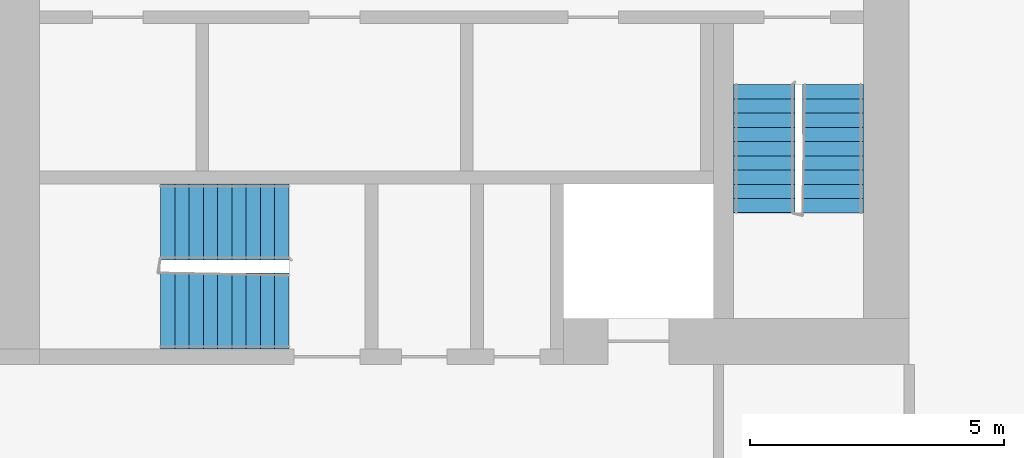
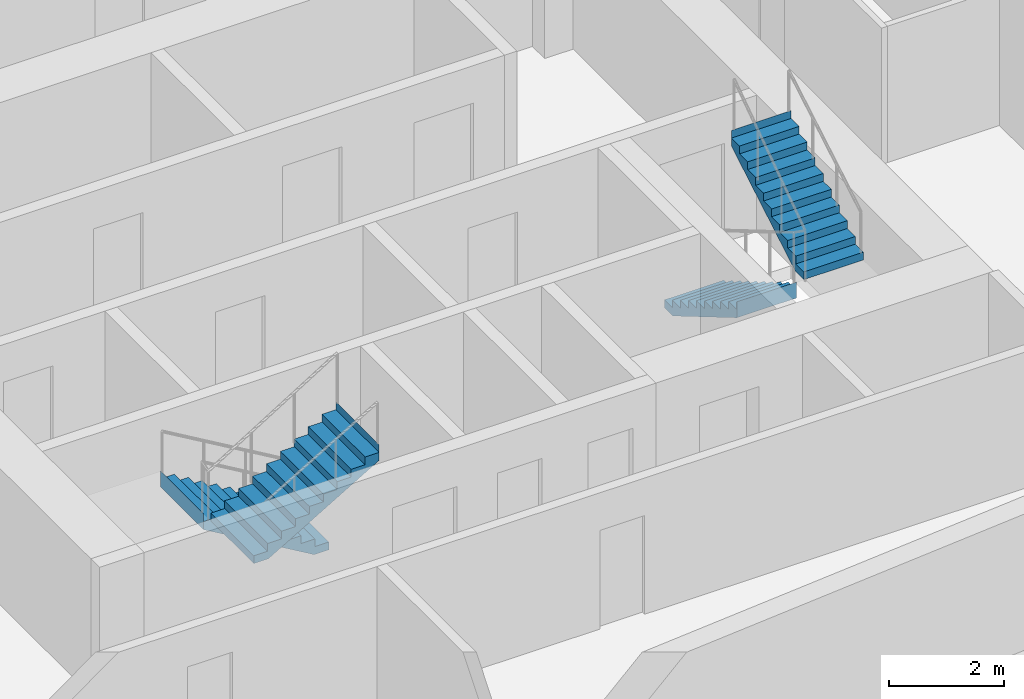
# One storey, part 9 of 11: 4 stair flights, 2 elements without a shape of their own.
"""IFC4 building model written with IfcOpenShell, lengths in metres."""

from ifc_helpers import new_model, si_unit, direction, frame, origin, place, context, subcontext, project, spatial, faceted_brep, material, type_object, element, aggregate, save


model = new_model("IFC4")

# Units and contexts
model_context = context("Model", 3, precision=1e-05, world=origin(), true_north=direction((0.0, 1.0)))
body_context = subcontext(model_context, "Body", "Model", "MODEL_VIEW")
ifc_project = project(units=[si_unit("LENGTHUNIT", "METRE"), si_unit("AREAUNIT", "SQUARE_METRE"), si_unit("VOLUMEUNIT", "CUBIC_METRE"), si_unit("PLANEANGLEUNIT", "RADIAN"), si_unit("MASSUNIT", "GRAM", prefix="KILO")], contexts=[model_context])

# Site, building, storey
site_placement = place(None, origin())
site = spatial("IfcSite", under=ifc_project, at=site_placement, CompositionType="ELEMENT")
building_placement = place(site_placement, origin())
building = spatial("IfcBuilding", under=site, at=building_placement, Name="Kajstack Hotel Tower", CompositionType="ELEMENT")
storey_placement = place(building_placement, frame((0.0, 0.0, 304.800048828125)))
storey = spatial("IfcBuildingStorey", under=building, at=storey_placement, Name="L77", CompositionType="ELEMENT", Elevation=304.800048828125)

# Stair, stair flights
ifc_material = material(Name="Concrete C40/50", Category="concrete")
stair_type_1 = type_object("IfcStairType", Name="Exit stair 1200", PredefinedType="HALF_TURN_STAIR", material=ifc_material)
stair_1_placement = place(storey_placement, origin())
stair_1 = element("IfcStair", 1, at=stair_1_placement, inside=storey, type_object=stair_type_1, Name="L77 stair W2", PredefinedType="HALF_TURN_STAIR")
stair_flight_type_1 = type_object("IfcStairFlightType", Name="Exit stair flight 1200", PredefinedType="STRAIGHT", material=ifc_material)
stair_flight_1_placement = place(storey_placement, frame((-16.35009765625, -10.0, 0.0), z_axis=(0.0, 0.0, 1.0), x_axis=(0.0, -1.0, 0.0)))
stair_flight_1 = element("IfcStairFlight", 2, at=stair_flight_1_placement, type_object=stair_flight_type_1, Name="W2 flight 1", NumberOfRisers=10, NumberOfTreads=9, PredefinedType="STRAIGHT", RiserHeight=0.165, TreadLength=0.28, context=body_context, shape_type="Brep", body=[
    faceted_brep([(0.295654296875, -0.60009765625, 0.0), (2.5205078125, -0.60009765625, 1.31103515625), (2.5205078125, -0.60009765625, 1.64990234375), (2.52001953125, -0.60009765625, 1.64990234375), (2.52001953125, -0.60009765625, 1.485107421875), (2.239990234375, -0.60009765625, 1.485107421875), (2.239990234375, -0.60009765625, 1.320068359375), (1.9599609375, -0.60009765625, 1.320068359375), (1.9599609375, -0.60009765625, 1.155029296875), (1.679931640625, -0.60009765625, 1.155029296875), (1.679931640625, -0.60009765625, 0.989990234375), (1.39990234375, -0.60009765625, 0.989990234375), (1.39990234375, -0.60009765625, 0.824951171875), (1.1201171875, -0.60009765625, 0.824951171875), (1.1201171875, -0.60009765625, 0.659912109375), (0.840087890625, -0.60009765625, 0.659912109375), (0.840087890625, -0.60009765625, 0.4951171875), (0.56005859375, -0.60009765625, 0.4951171875), (0.56005859375, -0.60009765625, 0.330078125), (0.280029296875, -0.60009765625, 0.330078125), (0.280029296875, -0.60009765625, 0.1650390625), (-0.00048828125, -0.60009765625, 0.1650390625), (-0.00048828125, -0.60009765625, 0.0), (-0.00048828125, 0.60009765625, 0.0), (-0.00048828125, 0.60009765625, 0.1650390625), (0.280029296875, 0.60009765625, 0.1650390625), (0.280029296875, 0.60009765625, 0.330078125), (0.56005859375, 0.60009765625, 0.330078125), (0.56005859375, 0.60009765625, 0.4951171875), (0.840087890625, 0.60009765625, 0.4951171875), (0.840087890625, 0.60009765625, 0.659912109375), (1.1201171875, 0.60009765625, 0.659912109375), (1.1201171875, 0.60009765625, 0.824951171875), (1.39990234375, 0.60009765625, 0.824951171875), (1.39990234375, 0.60009765625, 0.989990234375), (1.679931640625, 0.60009765625, 0.989990234375), (1.679931640625, 0.60009765625, 1.155029296875), (1.9599609375, 0.60009765625, 1.155029296875), (1.9599609375, 0.60009765625, 1.320068359375), (2.239990234375, 0.60009765625, 1.320068359375), (2.239990234375, 0.60009765625, 1.485107421875), (2.52001953125, 0.60009765625, 1.485107421875), (2.52001953125, 0.60009765625, 1.64990234375), (2.5205078125, 0.60009765625, 1.64990234375), (2.5205078125, 0.60009765625, 1.31103515625), (0.295654296875, 0.60009765625, 0.0), (-0.00048828125, -0.300048828125, 0.1650390625), (-0.00048828125, 0.0, 0.1650390625), (-0.00048828125, 0.300048828125, 0.1650390625), (-0.00048828125, 0.300048828125, 0.0), (-0.00048828125, 0.0, 0.0), (-0.00048828125, -0.300048828125, 0.0), (0.280029296875, -0.300048828125, 0.1650390625), (0.280029296875, 0.0, 0.1650390625), (0.280029296875, 0.300048828125, 0.1650390625), (0.280029296875, -0.300048828125, 0.330078125), (0.280029296875, 0.0, 0.330078125), (0.280029296875, 0.300048828125, 0.330078125), (0.56005859375, -0.300048828125, 0.330078125), (0.56005859375, 0.0, 0.330078125), (0.56005859375, 0.300048828125, 0.330078125), (0.56005859375, -0.300048828125, 0.4951171875), (0.56005859375, 0.0, 0.4951171875), (0.56005859375, 0.300048828125, 0.4951171875), (0.840087890625, -0.300048828125, 0.4951171875), (0.840087890625, 0.0, 0.4951171875), (0.840087890625, 0.300048828125, 0.4951171875), (0.840087890625, -0.300048828125, 0.659912109375), (0.840087890625, 0.0, 0.659912109375), (0.840087890625, 0.300048828125, 0.659912109375), (1.1201171875, -0.300048828125, 0.659912109375), (1.1201171875, 0.0, 0.659912109375), (1.1201171875, 0.300048828125, 0.659912109375), (1.1201171875, -0.300048828125, 0.824951171875), (1.1201171875, 0.0, 0.824951171875), (1.1201171875, 0.300048828125, 0.824951171875), (1.39990234375, -0.300048828125, 0.824951171875), (1.39990234375, 0.0, 0.824951171875), (1.39990234375, 0.300048828125, 0.824951171875), (1.39990234375, -0.300048828125, 0.989990234375), (1.39990234375, 0.0, 0.989990234375), (1.39990234375, 0.300048828125, 0.989990234375), (1.679931640625, -0.300048828125, 0.989990234375), (1.679931640625, 0.0, 0.989990234375), (1.679931640625, 0.300048828125, 0.989990234375), (1.679931640625, -0.300048828125, 1.155029296875), (1.679931640625, 0.0, 1.155029296875), (1.679931640625, 0.300048828125, 1.155029296875), (1.9599609375, -0.300048828125, 1.155029296875), (1.9599609375, 0.0, 1.155029296875), (1.9599609375, 0.300048828125, 1.155029296875), (1.9599609375, -0.300048828125, 1.320068359375), (1.9599609375, 0.0, 1.320068359375), (1.9599609375, 0.300048828125, 1.320068359375), (2.239990234375, -0.300048828125, 1.320068359375), (2.239990234375, 0.0, 1.320068359375), (2.239990234375, 0.300048828125, 1.320068359375), (2.239990234375, -0.300048828125, 1.485107421875), (2.239990234375, 0.0, 1.485107421875), (2.239990234375, 0.300048828125, 1.485107421875), (2.52001953125, -0.300048828125, 1.485107421875), (2.52001953125, 0.0, 1.485107421875), (2.52001953125, 0.300048828125, 1.485107421875), (2.52001953125, -0.300048828125, 1.64990234375), (2.52001953125, 0.0, 1.64990234375), (2.52001953125, 0.300048828125, 1.64990234375), (2.5205078125, -0.300048828125, 1.64990234375), (2.5205078125, 0.0, 1.64990234375), (2.5205078125, 0.300048828125, 1.64990234375), (2.5205078125, -0.300048828125, 1.31103515625), (2.5205078125, 0.0, 1.31103515625), (2.5205078125, 0.300048828125, 1.31103515625), (0.295654296875, -0.300048828125, 0.0), (0.295654296875, 0.0, 0.0), (0.295654296875, 0.300048828125, 0.0)], [[[0, 1, 2, 3, 4, 5, 6, 7, 8, 9, 10, 11, 12, 13, 14, 15, 16, 17, 18, 19, 20, 21, 22]], [[23, 24, 25, 26, 27, 28, 29, 30, 31, 32, 33, 34, 35, 36, 37, 38, 39, 40, 41, 42, 43, 44, 45]], [[21, 46, 47, 48, 24, 23, 49, 50, 51, 22]], [[20, 52, 53, 54, 25, 24, 48, 47, 46, 21]], [[19, 55, 56, 57, 26, 25, 54, 53, 52, 20]], [[18, 58, 59, 60, 27, 26, 57, 56, 55, 19]], [[17, 61, 62, 63, 28, 27, 60, 59, 58, 18]], [[16, 64, 65, 66, 29, 28, 63, 62, 61, 17]], [[15, 67, 68, 69, 30, 29, 66, 65, 64, 16]], [[14, 70, 71, 72, 31, 30, 69, 68, 67, 15]], [[13, 73, 74, 75, 32, 31, 72, 71, 70, 14]], [[12, 76, 77, 78, 33, 32, 75, 74, 73, 13]], [[11, 79, 80, 81, 34, 33, 78, 77, 76, 12]], [[10, 82, 83, 84, 35, 34, 81, 80, 79, 11]], [[9, 85, 86, 87, 36, 35, 84, 83, 82, 10]], [[8, 88, 89, 90, 37, 36, 87, 86, 85, 9]], [[7, 91, 92, 93, 38, 37, 90, 89, 88, 8]], [[6, 94, 95, 96, 39, 38, 93, 92, 91, 7]], [[5, 97, 98, 99, 40, 39, 96, 95, 94, 6]], [[4, 100, 101, 102, 41, 40, 99, 98, 97, 5]], [[3, 103, 104, 105, 42, 41, 102, 101, 100, 4]], [[2, 106, 107, 108, 43, 42, 105, 104, 103, 3]], [[1, 109, 110, 111, 44, 43, 108, 107, 106, 2]], [[0, 112, 113, 114, 45, 44, 111, 110, 109, 1]], [[22, 51, 50, 49, 23, 45, 114, 113, 112, 0]]]),
])
stair_flight_2_placement = place(storey_placement, frame((-15.0, -12.52001953125, 1.64990234375), z_axis=(0.0, 0.0, 1.0), x_axis=(0.0, 1.0, 0.0)))
stair_flight_2 = element("IfcStairFlight", 3, at=stair_flight_2_placement, type_object=stair_flight_type_1, Name="W2 flight 2", NumberOfRisers=10, NumberOfTreads=9, PredefinedType="STRAIGHT", RiserHeight=0.165, TreadLength=0.28, context=body_context, shape_type="Brep", body=[
    faceted_brep([(0.295654296875, -0.60009765625, 0.0), (2.5205078125, -0.60009765625, 1.31103515625), (2.5205078125, -0.60009765625, 1.64990234375), (2.52001953125, -0.60009765625, 1.64990234375), (2.52001953125, -0.60009765625, 1.485107421875), (2.239990234375, -0.60009765625, 1.485107421875), (2.239990234375, -0.60009765625, 1.320068359375), (1.9599609375, -0.60009765625, 1.320068359375), (1.9599609375, -0.60009765625, 1.155029296875), (1.679931640625, -0.60009765625, 1.155029296875), (1.679931640625, -0.60009765625, 0.989990234375), (1.39990234375, -0.60009765625, 0.989990234375), (1.39990234375, -0.60009765625, 0.824951171875), (1.1201171875, -0.60009765625, 0.824951171875), (1.1201171875, -0.60009765625, 0.659912109375), (0.840087890625, -0.60009765625, 0.659912109375), (0.840087890625, -0.60009765625, 0.4951171875), (0.56005859375, -0.60009765625, 0.4951171875), (0.56005859375, -0.60009765625, 0.330078125), (0.280029296875, -0.60009765625, 0.330078125), (0.280029296875, -0.60009765625, 0.1650390625), (-0.00048828125, -0.60009765625, 0.1650390625), (-0.00048828125, -0.60009765625, 0.0), (-0.00048828125, 0.60009765625, 0.0), (-0.00048828125, 0.60009765625, 0.1650390625), (0.280029296875, 0.60009765625, 0.1650390625), (0.280029296875, 0.60009765625, 0.330078125), (0.56005859375, 0.60009765625, 0.330078125), (0.56005859375, 0.60009765625, 0.4951171875), (0.840087890625, 0.60009765625, 0.4951171875), (0.840087890625, 0.60009765625, 0.659912109375), (1.1201171875, 0.60009765625, 0.659912109375), (1.1201171875, 0.60009765625, 0.824951171875), (1.39990234375, 0.60009765625, 0.824951171875), (1.39990234375, 0.60009765625, 0.989990234375), (1.679931640625, 0.60009765625, 0.989990234375), (1.679931640625, 0.60009765625, 1.155029296875), (1.9599609375, 0.60009765625, 1.155029296875), (1.9599609375, 0.60009765625, 1.320068359375), (2.239990234375, 0.60009765625, 1.320068359375), (2.239990234375, 0.60009765625, 1.485107421875), (2.52001953125, 0.60009765625, 1.485107421875), (2.52001953125, 0.60009765625, 1.64990234375), (2.5205078125, 0.60009765625, 1.64990234375), (2.5205078125, 0.60009765625, 1.31103515625), (0.295654296875, 0.60009765625, 0.0), (-0.00048828125, -0.300048828125, 0.1650390625), (-0.00048828125, 0.0, 0.1650390625), (-0.00048828125, 0.300048828125, 0.1650390625), (-0.00048828125, 0.300048828125, 0.0), (-0.00048828125, 0.0, 0.0), (-0.00048828125, -0.300048828125, 0.0), (0.280029296875, -0.300048828125, 0.1650390625), (0.280029296875, 0.0, 0.1650390625), (0.280029296875, 0.300048828125, 0.1650390625), (0.280029296875, -0.300048828125, 0.330078125), (0.280029296875, 0.0, 0.330078125), (0.280029296875, 0.300048828125, 0.330078125), (0.56005859375, -0.300048828125, 0.330078125), (0.56005859375, 0.0, 0.330078125), (0.56005859375, 0.300048828125, 0.330078125), (0.56005859375, -0.300048828125, 0.4951171875), (0.56005859375, 0.0, 0.4951171875), (0.56005859375, 0.300048828125, 0.4951171875), (0.840087890625, -0.300048828125, 0.4951171875), (0.840087890625, 0.0, 0.4951171875), (0.840087890625, 0.300048828125, 0.4951171875), (0.840087890625, -0.300048828125, 0.659912109375), (0.840087890625, 0.0, 0.659912109375), (0.840087890625, 0.300048828125, 0.659912109375), (1.1201171875, -0.300048828125, 0.659912109375), (1.1201171875, 0.0, 0.659912109375), (1.1201171875, 0.300048828125, 0.659912109375), (1.1201171875, -0.300048828125, 0.824951171875), (1.1201171875, 0.0, 0.824951171875), (1.1201171875, 0.300048828125, 0.824951171875), (1.39990234375, -0.300048828125, 0.824951171875), (1.39990234375, 0.0, 0.824951171875), (1.39990234375, 0.300048828125, 0.824951171875), (1.39990234375, -0.300048828125, 0.989990234375), (1.39990234375, 0.0, 0.989990234375), (1.39990234375, 0.300048828125, 0.989990234375), (1.679931640625, -0.300048828125, 0.989990234375), (1.679931640625, 0.0, 0.989990234375), (1.679931640625, 0.300048828125, 0.989990234375), (1.679931640625, -0.300048828125, 1.155029296875), (1.679931640625, 0.0, 1.155029296875), (1.679931640625, 0.300048828125, 1.155029296875), (1.9599609375, -0.300048828125, 1.155029296875), (1.9599609375, 0.0, 1.155029296875), (1.9599609375, 0.300048828125, 1.155029296875), (1.9599609375, -0.300048828125, 1.320068359375), (1.9599609375, 0.0, 1.320068359375), (1.9599609375, 0.300048828125, 1.320068359375), (2.239990234375, -0.300048828125, 1.320068359375), (2.239990234375, 0.0, 1.320068359375), (2.239990234375, 0.300048828125, 1.320068359375), (2.239990234375, -0.300048828125, 1.485107421875), (2.239990234375, 0.0, 1.485107421875), (2.239990234375, 0.300048828125, 1.485107421875), (2.52001953125, -0.300048828125, 1.485107421875), (2.52001953125, 0.0, 1.485107421875), (2.52001953125, 0.300048828125, 1.485107421875), (2.52001953125, -0.300048828125, 1.64990234375), (2.52001953125, 0.0, 1.64990234375), (2.52001953125, 0.300048828125, 1.64990234375), (2.5205078125, -0.300048828125, 1.64990234375), (2.5205078125, 0.0, 1.64990234375), (2.5205078125, 0.300048828125, 1.64990234375), (2.5205078125, -0.300048828125, 1.31103515625), (2.5205078125, 0.0, 1.31103515625), (2.5205078125, 0.300048828125, 1.31103515625), (0.295654296875, -0.300048828125, 0.0), (0.295654296875, 0.0, 0.0), (0.295654296875, 0.300048828125, 0.0)], [[[0, 1, 2, 3, 4, 5, 6, 7, 8, 9, 10, 11, 12, 13, 14, 15, 16, 17, 18, 19, 20, 21, 22]], [[23, 24, 25, 26, 27, 28, 29, 30, 31, 32, 33, 34, 35, 36, 37, 38, 39, 40, 41, 42, 43, 44, 45]], [[21, 46, 47, 48, 24, 23, 49, 50, 51, 22]], [[20, 52, 53, 54, 25, 24, 48, 47, 46, 21]], [[19, 55, 56, 57, 26, 25, 54, 53, 52, 20]], [[18, 58, 59, 60, 27, 26, 57, 56, 55, 19]], [[17, 61, 62, 63, 28, 27, 60, 59, 58, 18]], [[16, 64, 65, 66, 29, 28, 63, 62, 61, 17]], [[15, 67, 68, 69, 30, 29, 66, 65, 64, 16]], [[14, 70, 71, 72, 31, 30, 69, 68, 67, 15]], [[13, 73, 74, 75, 32, 31, 72, 71, 70, 14]], [[12, 76, 77, 78, 33, 32, 75, 74, 73, 13]], [[11, 79, 80, 81, 34, 33, 78, 77, 76, 12]], [[10, 82, 83, 84, 35, 34, 81, 80, 79, 11]], [[9, 85, 86, 87, 36, 35, 84, 83, 82, 10]], [[8, 88, 89, 90, 37, 36, 87, 86, 85, 9]], [[7, 91, 92, 93, 38, 37, 90, 89, 88, 8]], [[6, 94, 95, 96, 39, 38, 93, 92, 91, 7]], [[5, 97, 98, 99, 40, 39, 96, 95, 94, 6]], [[4, 100, 101, 102, 41, 40, 99, 98, 97, 5]], [[3, 103, 104, 105, 42, 41, 102, 101, 100, 4]], [[2, 106, 107, 108, 43, 42, 105, 104, 103, 3]], [[1, 109, 110, 111, 44, 43, 108, 107, 106, 2]], [[0, 112, 113, 114, 45, 44, 111, 110, 109, 1]], [[22, 51, 50, 49, 23, 45, 114, 113, 112, 0]]]),
])
aggregate(stair_1, [stair_flight_1, stair_flight_2])

stair_type_2 = type_object("IfcStairType", Name="Exit stair 1500", PredefinedType="HALF_TURN_STAIR", material=ifc_material)
stair_2_placement = place(storey_placement, origin())
stair_2 = element("IfcStair", 4, at=stair_2_placement, inside=storey, type_object=stair_type_2, Name="L77 stair W3", PredefinedType="HALF_TURN_STAIR")
stair_flight_type_2 = type_object("IfcStairFlightType", Name="Exit stair flight 1500", PredefinedType="STRAIGHT", material=ifc_material)
stair_flight_3_placement = place(storey_placement, frame((-25.699951171875, -12.699951171875, 0.0), z_axis=(0.0, 0.0, 1.0), x_axis=(-1.0, 0.0, 0.0)))
stair_flight_3 = element("IfcStairFlight", 5, at=stair_flight_3_placement, type_object=stair_flight_type_2, Name="W3 flight 1", NumberOfRisers=10, NumberOfTreads=9, PredefinedType="STRAIGHT", RiserHeight=0.165, TreadLength=0.28, context=body_context, shape_type="Brep", body=[
    faceted_brep([(0.295654296875, -0.75, 0.0), (2.5205078125, -0.75, 1.31103515625), (2.5205078125, -0.75, 1.64990234375), (2.52001953125, -0.75, 1.64990234375), (2.52001953125, -0.75, 1.485107421875), (2.239990234375, -0.75, 1.485107421875), (2.239990234375, -0.75, 1.320068359375), (1.9599609375, -0.75, 1.320068359375), (1.9599609375, -0.75, 1.155029296875), (1.679931640625, -0.75, 1.155029296875), (1.679931640625, -0.75, 0.989990234375), (1.39990234375, -0.75, 0.989990234375), (1.39990234375, -0.75, 0.824951171875), (1.1201171875, -0.75, 0.824951171875), (1.1201171875, -0.75, 0.659912109375), (0.840087890625, -0.75, 0.659912109375), (0.840087890625, -0.75, 0.4951171875), (0.56005859375, -0.75, 0.4951171875), (0.56005859375, -0.75, 0.330078125), (0.280029296875, -0.75, 0.330078125), (0.280029296875, -0.75, 0.1650390625), (-0.00048828125, -0.75, 0.1650390625), (-0.00048828125, -0.75, 0.0), (-0.00048828125, 0.75, 0.0), (-0.00048828125, 0.75, 0.1650390625), (0.280029296875, 0.75, 0.1650390625), (0.280029296875, 0.75, 0.330078125), (0.56005859375, 0.75, 0.330078125), (0.56005859375, 0.75, 0.4951171875), (0.840087890625, 0.75, 0.4951171875), (0.840087890625, 0.75, 0.659912109375), (1.1201171875, 0.75, 0.659912109375), (1.1201171875, 0.75, 0.824951171875), (1.39990234375, 0.75, 0.824951171875), (1.39990234375, 0.75, 0.989990234375), (1.679931640625, 0.75, 0.989990234375), (1.679931640625, 0.75, 1.155029296875), (1.9599609375, 0.75, 1.155029296875), (1.9599609375, 0.75, 1.320068359375), (2.239990234375, 0.75, 1.320068359375), (2.239990234375, 0.75, 1.485107421875), (2.52001953125, 0.75, 1.485107421875), (2.52001953125, 0.75, 1.64990234375), (2.5205078125, 0.75, 1.64990234375), (2.5205078125, 0.75, 1.31103515625), (0.295654296875, 0.75, 0.0), (-0.00048828125, -0.375, 0.1650390625), (-0.00048828125, 0.0, 0.1650390625), (-0.00048828125, 0.375, 0.1650390625), (-0.00048828125, 0.375, 0.0), (-0.00048828125, 0.0, 0.0), (-0.00048828125, -0.375, 0.0), (0.280029296875, -0.375, 0.1650390625), (0.280029296875, 0.0, 0.1650390625), (0.280029296875, 0.375, 0.1650390625), (0.280029296875, -0.375, 0.330078125), (0.280029296875, 0.0, 0.330078125), (0.280029296875, 0.375, 0.330078125), (0.56005859375, -0.375, 0.330078125), (0.56005859375, 0.0, 0.330078125), (0.56005859375, 0.375, 0.330078125), (0.56005859375, -0.375, 0.4951171875), (0.56005859375, 0.0, 0.4951171875), (0.56005859375, 0.375, 0.4951171875), (0.840087890625, -0.375, 0.4951171875), (0.840087890625, 0.0, 0.4951171875), (0.840087890625, 0.375, 0.4951171875), (0.840087890625, -0.375, 0.659912109375), (0.840087890625, 0.0, 0.659912109375), (0.840087890625, 0.375, 0.659912109375), (1.1201171875, -0.375, 0.659912109375), (1.1201171875, 0.0, 0.659912109375), (1.1201171875, 0.375, 0.659912109375), (1.1201171875, -0.375, 0.824951171875), (1.1201171875, 0.0, 0.824951171875), (1.1201171875, 0.375, 0.824951171875), (1.39990234375, -0.375, 0.824951171875), (1.39990234375, 0.0, 0.824951171875), (1.39990234375, 0.375, 0.824951171875), (1.39990234375, -0.375, 0.989990234375), (1.39990234375, 0.0, 0.989990234375), (1.39990234375, 0.375, 0.989990234375), (1.679931640625, -0.375, 0.989990234375), (1.679931640625, 0.0, 0.989990234375), (1.679931640625, 0.375, 0.989990234375), (1.679931640625, -0.375, 1.155029296875), (1.679931640625, 0.0, 1.155029296875), (1.679931640625, 0.375, 1.155029296875), (1.9599609375, -0.375, 1.155029296875), (1.9599609375, 0.0, 1.155029296875), (1.9599609375, 0.375, 1.155029296875), (1.9599609375, -0.375, 1.320068359375), (1.9599609375, 0.0, 1.320068359375), (1.9599609375, 0.375, 1.320068359375), (2.239990234375, -0.375, 1.320068359375), (2.239990234375, 0.0, 1.320068359375), (2.239990234375, 0.375, 1.320068359375), (2.239990234375, -0.375, 1.485107421875), (2.239990234375, 0.0, 1.485107421875), (2.239990234375, 0.375, 1.485107421875), (2.52001953125, -0.375, 1.485107421875), (2.52001953125, 0.0, 1.485107421875), (2.52001953125, 0.375, 1.485107421875), (2.52001953125, -0.375, 1.64990234375), (2.52001953125, 0.0, 1.64990234375), (2.52001953125, 0.375, 1.64990234375), (2.5205078125, -0.375, 1.64990234375), (2.5205078125, 0.0, 1.64990234375), (2.5205078125, 0.375, 1.64990234375), (2.5205078125, -0.375, 1.31103515625), (2.5205078125, 0.0, 1.31103515625), (2.5205078125, 0.375, 1.31103515625), (0.295654296875, -0.375, 0.0), (0.295654296875, 0.0, 0.0), (0.295654296875, 0.375, 0.0)], [[[0, 1, 2, 3, 4, 5, 6, 7, 8, 9, 10, 11, 12, 13, 14, 15, 16, 17, 18, 19, 20, 21, 22]], [[23, 24, 25, 26, 27, 28, 29, 30, 31, 32, 33, 34, 35, 36, 37, 38, 39, 40, 41, 42, 43, 44, 45]], [[21, 46, 47, 48, 24, 23, 49, 50, 51, 22]], [[20, 52, 53, 54, 25, 24, 48, 47, 46, 21]], [[19, 55, 56, 57, 26, 25, 54, 53, 52, 20]], [[18, 58, 59, 60, 27, 26, 57, 56, 55, 19]], [[17, 61, 62, 63, 28, 27, 60, 59, 58, 18]], [[16, 64, 65, 66, 29, 28, 63, 62, 61, 17]], [[15, 67, 68, 69, 30, 29, 66, 65, 64, 16]], [[14, 70, 71, 72, 31, 30, 69, 68, 67, 15]], [[13, 73, 74, 75, 32, 31, 72, 71, 70, 14]], [[12, 76, 77, 78, 33, 32, 75, 74, 73, 13]], [[11, 79, 80, 81, 34, 33, 78, 77, 76, 12]], [[10, 82, 83, 84, 35, 34, 81, 80, 79, 11]], [[9, 85, 86, 87, 36, 35, 84, 83, 82, 10]], [[8, 88, 89, 90, 37, 36, 87, 86, 85, 9]], [[7, 91, 92, 93, 38, 37, 90, 89, 88, 8]], [[6, 94, 95, 96, 39, 38, 93, 92, 91, 7]], [[5, 97, 98, 99, 40, 39, 96, 95, 94, 6]], [[4, 100, 101, 102, 41, 40, 99, 98, 97, 5]], [[3, 103, 104, 105, 42, 41, 102, 101, 100, 4]], [[2, 106, 107, 108, 43, 42, 105, 104, 103, 3]], [[1, 109, 110, 111, 44, 43, 108, 107, 106, 2]], [[0, 112, 113, 114, 45, 44, 111, 110, 109, 1]], [[22, 51, 50, 49, 23, 45, 114, 113, 112, 0]]]),
])
stair_flight_4_placement = place(storey_placement, frame((-28.219970703125, -14.449951171875, 1.64990234375), z_axis=(0.0, 0.0, 1.0), x_axis=(1.0, 0.0, 0.0)))
stair_flight_4 = element("IfcStairFlight", 6, at=stair_flight_4_placement, type_object=stair_flight_type_2, Name="W3 flight 2", NumberOfRisers=10, NumberOfTreads=9, PredefinedType="STRAIGHT", RiserHeight=0.165, TreadLength=0.28, context=body_context, shape_type="Brep", body=[
    faceted_brep([(0.295654296875, -0.75, 0.0), (2.5205078125, -0.75, 1.31103515625), (2.5205078125, -0.75, 1.64990234375), (2.52001953125, -0.75, 1.64990234375), (2.52001953125, -0.75, 1.485107421875), (2.239990234375, -0.75, 1.485107421875), (2.239990234375, -0.75, 1.320068359375), (1.9599609375, -0.75, 1.320068359375), (1.9599609375, -0.75, 1.155029296875), (1.679931640625, -0.75, 1.155029296875), (1.679931640625, -0.75, 0.989990234375), (1.39990234375, -0.75, 0.989990234375), (1.39990234375, -0.75, 0.824951171875), (1.1201171875, -0.75, 0.824951171875), (1.1201171875, -0.75, 0.659912109375), (0.840087890625, -0.75, 0.659912109375), (0.840087890625, -0.75, 0.4951171875), (0.56005859375, -0.75, 0.4951171875), (0.56005859375, -0.75, 0.330078125), (0.280029296875, -0.75, 0.330078125), (0.280029296875, -0.75, 0.1650390625), (-0.00048828125, -0.75, 0.1650390625), (-0.00048828125, -0.75, 0.0), (-0.00048828125, 0.75, 0.0), (-0.00048828125, 0.75, 0.1650390625), (0.280029296875, 0.75, 0.1650390625), (0.280029296875, 0.75, 0.330078125), (0.56005859375, 0.75, 0.330078125), (0.56005859375, 0.75, 0.4951171875), (0.840087890625, 0.75, 0.4951171875), (0.840087890625, 0.75, 0.659912109375), (1.1201171875, 0.75, 0.659912109375), (1.1201171875, 0.75, 0.824951171875), (1.39990234375, 0.75, 0.824951171875), (1.39990234375, 0.75, 0.989990234375), (1.679931640625, 0.75, 0.989990234375), (1.679931640625, 0.75, 1.155029296875), (1.9599609375, 0.75, 1.155029296875), (1.9599609375, 0.75, 1.320068359375), (2.239990234375, 0.75, 1.320068359375), (2.239990234375, 0.75, 1.485107421875), (2.52001953125, 0.75, 1.485107421875), (2.52001953125, 0.75, 1.64990234375), (2.5205078125, 0.75, 1.64990234375), (2.5205078125, 0.75, 1.31103515625), (0.295654296875, 0.75, 0.0), (-0.00048828125, -0.375, 0.1650390625), (-0.00048828125, 0.0, 0.1650390625), (-0.00048828125, 0.375, 0.1650390625), (-0.00048828125, 0.375, 0.0), (-0.00048828125, 0.0, 0.0), (-0.00048828125, -0.375, 0.0), (0.280029296875, -0.375, 0.1650390625), (0.280029296875, 0.0, 0.1650390625), (0.280029296875, 0.375, 0.1650390625), (0.280029296875, -0.375, 0.330078125), (0.280029296875, 0.0, 0.330078125), (0.280029296875, 0.375, 0.330078125), (0.56005859375, -0.375, 0.330078125), (0.56005859375, 0.0, 0.330078125), (0.56005859375, 0.375, 0.330078125), (0.56005859375, -0.375, 0.4951171875), (0.56005859375, 0.0, 0.4951171875), (0.56005859375, 0.375, 0.4951171875), (0.840087890625, -0.375, 0.4951171875), (0.840087890625, 0.0, 0.4951171875), (0.840087890625, 0.375, 0.4951171875), (0.840087890625, -0.375, 0.659912109375), (0.840087890625, 0.0, 0.659912109375), (0.840087890625, 0.375, 0.659912109375), (1.1201171875, -0.375, 0.659912109375), (1.1201171875, 0.0, 0.659912109375), (1.1201171875, 0.375, 0.659912109375), (1.1201171875, -0.375, 0.824951171875), (1.1201171875, 0.0, 0.824951171875), (1.1201171875, 0.375, 0.824951171875), (1.39990234375, -0.375, 0.824951171875), (1.39990234375, 0.0, 0.824951171875), (1.39990234375, 0.375, 0.824951171875), (1.39990234375, -0.375, 0.989990234375), (1.39990234375, 0.0, 0.989990234375), (1.39990234375, 0.375, 0.989990234375), (1.679931640625, -0.375, 0.989990234375), (1.679931640625, 0.0, 0.989990234375), (1.679931640625, 0.375, 0.989990234375), (1.679931640625, -0.375, 1.155029296875), (1.679931640625, 0.0, 1.155029296875), (1.679931640625, 0.375, 1.155029296875), (1.9599609375, -0.375, 1.155029296875), (1.9599609375, 0.0, 1.155029296875), (1.9599609375, 0.375, 1.155029296875), (1.9599609375, -0.375, 1.320068359375), (1.9599609375, 0.0, 1.320068359375), (1.9599609375, 0.375, 1.320068359375), (2.239990234375, -0.375, 1.320068359375), (2.239990234375, 0.0, 1.320068359375), (2.239990234375, 0.375, 1.320068359375), (2.239990234375, -0.375, 1.485107421875), (2.239990234375, 0.0, 1.485107421875), (2.239990234375, 0.375, 1.485107421875), (2.52001953125, -0.375, 1.485107421875), (2.52001953125, 0.0, 1.485107421875), (2.52001953125, 0.375, 1.485107421875), (2.52001953125, -0.375, 1.64990234375), (2.52001953125, 0.0, 1.64990234375), (2.52001953125, 0.375, 1.64990234375), (2.5205078125, -0.375, 1.64990234375), (2.5205078125, 0.0, 1.64990234375), (2.5205078125, 0.375, 1.64990234375), (2.5205078125, -0.375, 1.31103515625), (2.5205078125, 0.0, 1.31103515625), (2.5205078125, 0.375, 1.31103515625), (0.295654296875, -0.375, 0.0), (0.295654296875, 0.0, 0.0), (0.295654296875, 0.375, 0.0)], [[[0, 1, 2, 3, 4, 5, 6, 7, 8, 9, 10, 11, 12, 13, 14, 15, 16, 17, 18, 19, 20, 21, 22]], [[23, 24, 25, 26, 27, 28, 29, 30, 31, 32, 33, 34, 35, 36, 37, 38, 39, 40, 41, 42, 43, 44, 45]], [[21, 46, 47, 48, 24, 23, 49, 50, 51, 22]], [[20, 52, 53, 54, 25, 24, 48, 47, 46, 21]], [[19, 55, 56, 57, 26, 25, 54, 53, 52, 20]], [[18, 58, 59, 60, 27, 26, 57, 56, 55, 19]], [[17, 61, 62, 63, 28, 27, 60, 59, 58, 18]], [[16, 64, 65, 66, 29, 28, 63, 62, 61, 17]], [[15, 67, 68, 69, 30, 29, 66, 65, 64, 16]], [[14, 70, 71, 72, 31, 30, 69, 68, 67, 15]], [[13, 73, 74, 75, 32, 31, 72, 71, 70, 14]], [[12, 76, 77, 78, 33, 32, 75, 74, 73, 13]], [[11, 79, 80, 81, 34, 33, 78, 77, 76, 12]], [[10, 82, 83, 84, 35, 34, 81, 80, 79, 11]], [[9, 85, 86, 87, 36, 35, 84, 83, 82, 10]], [[8, 88, 89, 90, 37, 36, 87, 86, 85, 9]], [[7, 91, 92, 93, 38, 37, 90, 89, 88, 8]], [[6, 94, 95, 96, 39, 38, 93, 92, 91, 7]], [[5, 97, 98, 99, 40, 39, 96, 95, 94, 6]], [[4, 100, 101, 102, 41, 40, 99, 98, 97, 5]], [[3, 103, 104, 105, 42, 41, 102, 101, 100, 4]], [[2, 106, 107, 108, 43, 42, 105, 104, 103, 3]], [[1, 109, 110, 111, 44, 43, 108, 107, 106, 2]], [[0, 112, 113, 114, 45, 44, 111, 110, 109, 1]], [[22, 51, 50, 49, 23, 45, 114, 113, 112, 0]]]),
])
aggregate(stair_2, [stair_flight_3, stair_flight_4])

save(model, "model.ifc")
